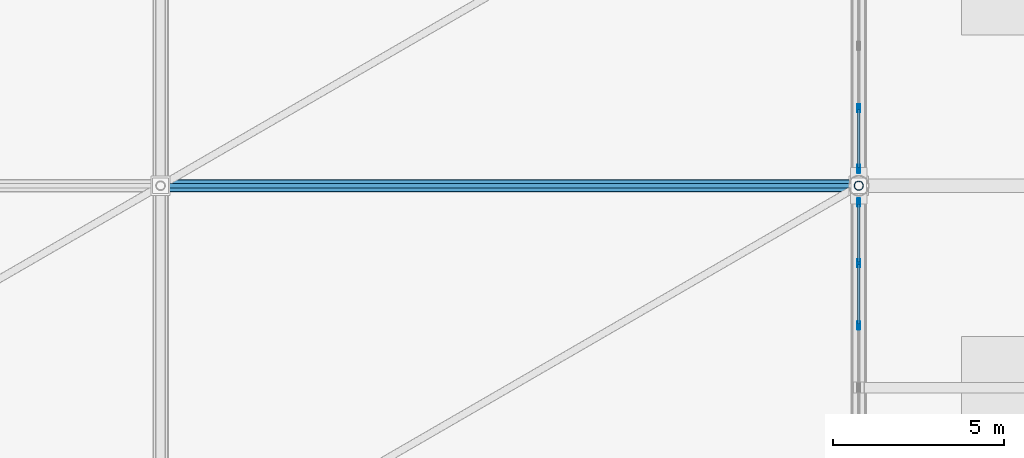
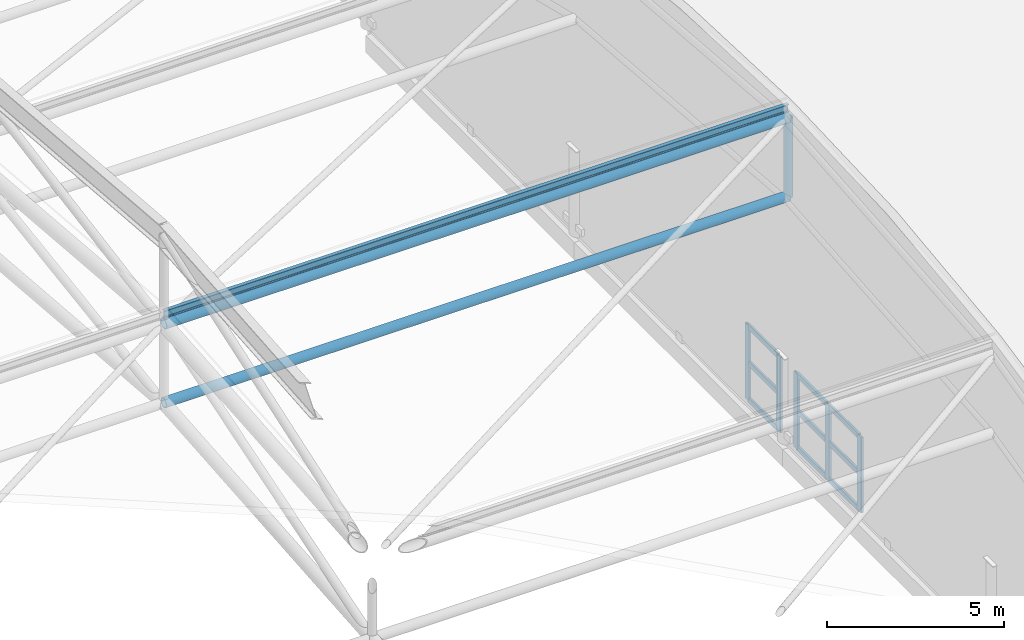
# One storey, part 53 of 135: 18 members, 2 elements without a shape of their own.
"""IFC4 building model written with IfcOpenShell, lengths in metres."""

from ifc_helpers import new_model, si_unit, direction, frame, origin, origin_2d, place, context, subcontext, project, spatial, hollow_rectangle, hollow_circle, i_section, extrude, material, material_profile, profile_set, type_object, element, aggregate, save


model = new_model("IFC4")

# Units and contexts
model_context = context("Model", 3, precision=1e-05, world=origin(), true_north=direction((0.0, 1.0)))
body_context = subcontext(model_context, "Body", "Model", "MODEL_VIEW")
ifc_project = project(units=[si_unit("LENGTHUNIT", "METRE"), si_unit("AREAUNIT", "SQUARE_METRE"), si_unit("VOLUMEUNIT", "CUBIC_METRE"), si_unit("PLANEANGLEUNIT", "RADIAN"), si_unit("MASSUNIT", "GRAM", prefix="KILO")], contexts=[model_context])

# Site, building, storey
site_placement = place(None, origin())
site = spatial("IfcSite", under=ifc_project, at=site_placement, CompositionType="ELEMENT")
building_placement = place(site_placement, origin())
building = spatial("IfcBuilding", under=site, at=building_placement, Name="Brelvane Convention Centre", CompositionType="ELEMENT")
storey_placement = place(building_placement, frame((0.0, 0.0, 15.0)))
storey = spatial("IfcBuildingStorey", under=building, at=storey_placement, Name="L03", CompositionType="ELEMENT", Elevation=15.0)

# Curtain wall, members
ifc_material_1 = material(Name="Anodised Aluminium Alloy 6063-T6", Category="aluminium")
curtain_wall_type = type_object("IfcCurtainWallType", Name="Curtain Wall CW-HULL-N", PredefinedType="USERDEFINED", material=ifc_material_1)
curtain_wall_1_placement = place(storey_placement, origin())
curtain_wall_1 = element("IfcCurtainWall", 1, at=curtain_wall_1_placement, inside=storey, type_object=curtain_wall_type, Name="Curtain Wall CW-HULL-N L03-EXH-E-CLER-3", ObjectType="UNITISED", PredefinedType="USERDEFINED")
ifc_material_2 = material(Name="Anodised Aluminium Alloy 6063-T6", Category="aluminium")
ifc_material_profile_1 = material_profile(ifc_material_2, hollow_rectangle(XDim=0.080078125, YDim=0.239990234375, WallThickness=0.006103515625, InnerFilletRadius=0.006103515625, OuterFilletRadius=0.011962890625, at=origin_2d()), Name="ALU-M 240x80x6.0")
ifc_profile_set_1 = profile_set([ifc_material_profile_1], Name="Anodised Aluminium Alloy 6063-T6")
member_type_1 = type_object("IfcMemberType", Name="Curtain Mullion CW-M1", PredefinedType="MULLION", material=ifc_profile_set_1)
member_1_placement = place(storey_placement, frame((142.800048828125, 60.11669921875, 0.0), z_axis=(0.0, 0.0, 1.0), x_axis=(-1.0, 0.0, 0.0)))
member_1 = element("IfcMember", 2, at=member_1_placement, type_object=member_type_1, Name="CW-HULL-N mullion 5", PredefinedType="MULLION", context=body_context, shape_type="SweptSolid", body=[
    extrude(hollow_rectangle(XDim=0.080078125, YDim=0.239990234375, WallThickness=0.006103515625, InnerFilletRadius=0.006103515625, OuterFilletRadius=0.011962890625, at=origin_2d()), origin(), (0.0, 0.0, 1.0), 2.60009765625),
])
member_2_placement = place(storey_placement, frame((142.800048828125, 61.933349609375, 0.0), z_axis=(0.0, 0.0, 1.0), x_axis=(-1.0, 0.0, 0.0)))
member_2 = element("IfcMember", 3, at=member_2_placement, type_object=member_type_1, Name="CW-HULL-N mullion 6", PredefinedType="MULLION", context=body_context, shape_type="SweptSolid", body=[
    extrude(hollow_rectangle(XDim=0.080078125, YDim=0.239990234375, WallThickness=0.006103515625, InnerFilletRadius=0.006103515625, OuterFilletRadius=0.011962890625, at=origin_2d()), origin(), (0.0, 0.0, 1.0), 2.60009765625),
])
member_3_placement = place(storey_placement, frame((142.800048828125, 63.7099609375, 0.0), z_axis=(0.0, 0.0, 1.0), x_axis=(-1.0, 0.0, 0.0)))
member_3 = element("IfcMember", 4, at=member_3_placement, type_object=member_type_1, Name="CW-HULL-N mullion 7", PredefinedType="MULLION", context=body_context, shape_type="SweptSolid", body=[
    extrude(hollow_rectangle(XDim=0.080078125, YDim=0.239990234375, WallThickness=0.006103515625, InnerFilletRadius=0.006103515625, OuterFilletRadius=0.011962890625, at=origin_2d()), origin(), (0.0, 0.0, 1.0), 2.60009765625),
])

curtain_wall_2_placement = place(storey_placement, origin())
curtain_wall_2 = element("IfcCurtainWall", 5, at=curtain_wall_2_placement, inside=storey, type_object=curtain_wall_type, Name="Curtain Wall CW-HULL-N L03-EXH-E-CLER-4", ObjectType="UNITISED", PredefinedType="USERDEFINED")
member_4_placement = place(storey_placement, frame((142.800048828125, 64.68994140625, 0.0), z_axis=(0.0, 0.0, 1.0), x_axis=(-1.0, 0.0, 0.0)))
member_4 = element("IfcMember", 6, at=member_4_placement, type_object=member_type_1, Name="CW-HULL-N mullion 1", PredefinedType="MULLION", context=body_context, shape_type="SweptSolid", body=[
    extrude(hollow_rectangle(XDim=0.080078125, YDim=0.239990234375, WallThickness=0.006103515625, InnerFilletRadius=0.006103515625, OuterFilletRadius=0.011962890625, at=origin_2d()), origin(), (0.0, 0.0, 1.0), 2.60009765625),
])
member_5_placement = place(storey_placement, frame((142.800048828125, 66.466552734375, 0.0), z_axis=(0.0, 0.0, 1.0), x_axis=(-1.0, 0.0, 0.0)))
member_5 = element("IfcMember", 7, at=member_5_placement, type_object=member_type_1, Name="CW-HULL-N mullion 2", PredefinedType="MULLION", context=body_context, shape_type="SweptSolid", body=[
    extrude(hollow_rectangle(XDim=0.080078125, YDim=0.239990234375, WallThickness=0.006103515625, InnerFilletRadius=0.006103515625, OuterFilletRadius=0.011962890625, at=origin_2d()), origin(), (0.0, 0.0, 1.0), 2.60009765625),
])

# Member
ifc_material_3 = material(Name="Anodised Aluminium Alloy 6063-T6", Category="aluminium")
ifc_material_profile_2 = material_profile(ifc_material_3, hollow_rectangle(XDim=0.080078125, YDim=0.179931640625, WallThickness=0.0048828125, InnerFilletRadius=0.0048828125, OuterFilletRadius=0.010009765625, at=origin_2d()), Name="ALU-T 180x80x5.0")
ifc_profile_set_2 = profile_set([ifc_material_profile_2], Name="Anodised Aluminium Alloy 6063-T6")
member_type_2 = type_object("IfcMemberType", Name="Curtain Transom CW-T1", PredefinedType="USERDEFINED", material=ifc_profile_set_2)
member_6_placement = place(storey_placement, frame((142.800048828125, 60.15673828125, 0.0400390625), z_axis=(0.0, 1.0, 0.0), x_axis=(-1.0, 0.0, 0.0)))
member_6 = element("IfcMember", 8, at=member_6_placement, type_object=member_type_2, Name="CW-HULL-N transom 5.1", ObjectType="TRANSOM", PredefinedType="USERDEFINED", context=body_context, shape_type="SweptSolid", body=[
    extrude(hollow_rectangle(XDim=0.080078125, YDim=0.179931640625, WallThickness=0.0048828125, InnerFilletRadius=0.0048828125, OuterFilletRadius=0.010009765625, at=origin_2d()), origin(), (0.0, 0.0, 1.0), 1.736572265625),
])

member_7_placement = place(storey_placement, frame((142.800048828125, 60.15673828125, 1.300048828125), z_axis=(0.0, 1.0, 0.0), x_axis=(-1.0, 0.0, 0.0)))
member_7 = element("IfcMember", 9, at=member_7_placement, type_object=member_type_2, Name="CW-HULL-N transom 5.2", ObjectType="TRANSOM", PredefinedType="USERDEFINED", context=body_context, shape_type="SweptSolid", body=[
    extrude(hollow_rectangle(XDim=0.080078125, YDim=0.179931640625, WallThickness=0.0048828125, InnerFilletRadius=0.0048828125, OuterFilletRadius=0.010009765625, at=origin_2d()), origin(), (0.0, 0.0, 1.0), 1.736572265625),
])

member_8_placement = place(storey_placement, frame((142.800048828125, 60.15673828125, 2.56005859375), z_axis=(0.0, 1.0, 0.0), x_axis=(-1.0, 0.0, 0.0)))
member_8 = element("IfcMember", 10, at=member_8_placement, type_object=member_type_2, Name="CW-HULL-N transom 5.3", ObjectType="TRANSOM", PredefinedType="USERDEFINED", context=body_context, shape_type="SweptSolid", body=[
    extrude(hollow_rectangle(XDim=0.080078125, YDim=0.179931640625, WallThickness=0.0048828125, InnerFilletRadius=0.0048828125, OuterFilletRadius=0.010009765625, at=origin_2d()), origin(), (0.0, 0.0, 1.0), 1.736572265625),
])

member_9_placement = place(storey_placement, frame((142.800048828125, 61.973388671875, 0.0400390625), z_axis=(0.0, 1.0, 0.0), x_axis=(-1.0, 0.0, 0.0)))
member_9 = element("IfcMember", 11, at=member_9_placement, type_object=member_type_2, Name="CW-HULL-N transom 6.1", ObjectType="TRANSOM", PredefinedType="USERDEFINED", context=body_context, shape_type="SweptSolid", body=[
    extrude(hollow_rectangle(XDim=0.080078125, YDim=0.179931640625, WallThickness=0.0048828125, InnerFilletRadius=0.0048828125, OuterFilletRadius=0.010009765625, at=origin_2d()), origin(), (0.0, 0.0, 1.0), 1.696533203125),
])

member_10_placement = place(storey_placement, frame((142.800048828125, 61.973388671875, 1.300048828125), z_axis=(0.0, 1.0, 0.0), x_axis=(-1.0, 0.0, 0.0)))
member_10 = element("IfcMember", 12, at=member_10_placement, type_object=member_type_2, Name="CW-HULL-N transom 6.2", ObjectType="TRANSOM", PredefinedType="USERDEFINED", context=body_context, shape_type="SweptSolid", body=[
    extrude(hollow_rectangle(XDim=0.080078125, YDim=0.179931640625, WallThickness=0.0048828125, InnerFilletRadius=0.0048828125, OuterFilletRadius=0.010009765625, at=origin_2d()), origin(), (0.0, 0.0, 1.0), 1.696533203125),
])

member_11_placement = place(storey_placement, frame((142.800048828125, 61.973388671875, 2.56005859375), z_axis=(0.0, 1.0, 0.0), x_axis=(-1.0, 0.0, 0.0)))
member_11 = element("IfcMember", 13, at=member_11_placement, type_object=member_type_2, Name="CW-HULL-N transom 6.3", ObjectType="TRANSOM", PredefinedType="USERDEFINED", context=body_context, shape_type="SweptSolid", body=[
    extrude(hollow_rectangle(XDim=0.080078125, YDim=0.179931640625, WallThickness=0.0048828125, InnerFilletRadius=0.0048828125, OuterFilletRadius=0.010009765625, at=origin_2d()), origin(), (0.0, 0.0, 1.0), 1.696533203125),
])

aggregate(curtain_wall_1, [member_1, member_2, member_3, member_6, member_7, member_8, member_9, member_10, member_11])

member_12_placement = place(storey_placement, frame((142.800048828125, 64.72998046875, 0.0400390625), z_axis=(0.0, 1.0, 0.0), x_axis=(-1.0, 0.0, 0.0)))
member_12 = element("IfcMember", 14, at=member_12_placement, type_object=member_type_2, Name="CW-HULL-N transom 1.1", ObjectType="TRANSOM", PredefinedType="USERDEFINED", context=body_context, shape_type="SweptSolid", body=[
    extrude(hollow_rectangle(XDim=0.080078125, YDim=0.179931640625, WallThickness=0.0048828125, InnerFilletRadius=0.0048828125, OuterFilletRadius=0.010009765625, at=origin_2d()), origin(), (0.0, 0.0, 1.0), 1.69677734375),
])

member_13_placement = place(storey_placement, frame((142.800048828125, 64.72998046875, 1.300048828125), z_axis=(0.0, 1.0, 0.0), x_axis=(-1.0, 0.0, 0.0)))
member_13 = element("IfcMember", 15, at=member_13_placement, type_object=member_type_2, Name="CW-HULL-N transom 1.2", ObjectType="TRANSOM", PredefinedType="USERDEFINED", context=body_context, shape_type="SweptSolid", body=[
    extrude(hollow_rectangle(XDim=0.080078125, YDim=0.179931640625, WallThickness=0.0048828125, InnerFilletRadius=0.0048828125, OuterFilletRadius=0.010009765625, at=origin_2d()), origin(), (0.0, 0.0, 1.0), 1.69677734375),
])

member_14_placement = place(storey_placement, frame((142.800048828125, 64.72998046875, 2.56005859375), z_axis=(0.0, 1.0, 0.0), x_axis=(-1.0, 0.0, 0.0)))
member_14 = element("IfcMember", 16, at=member_14_placement, type_object=member_type_2, Name="CW-HULL-N transom 1.3", ObjectType="TRANSOM", PredefinedType="USERDEFINED", context=body_context, shape_type="SweptSolid", body=[
    extrude(hollow_rectangle(XDim=0.080078125, YDim=0.179931640625, WallThickness=0.0048828125, InnerFilletRadius=0.0048828125, OuterFilletRadius=0.010009765625, at=origin_2d()), origin(), (0.0, 0.0, 1.0), 1.69677734375),
])

aggregate(curtain_wall_2, [member_4, member_5, member_12, member_13, member_14])

# Members
ifc_material_4 = material(Name="Steel E350 (350 MPa)", Category="steel")
ifc_material_profile_3 = material_profile(ifc_material_4, hollow_circle(Radius=0.161865234375, WallThickness=0.012451171875, at=origin_2d()), Name="CHS 323.9x12.5")
ifc_profile_set_3 = profile_set([ifc_material_profile_3], Name="Steel E350 (350 MPa)")
member_type_3 = type_object("IfcMemberType", Name="Steel Chord SF-BC2 (CHS 323.9x12.5)", PredefinedType="CHORD", material=ifc_profile_set_3)
member_15_placement = place(storey_placement, frame((122.39990234375, 64.199951171875, 8.39990234375), z_axis=(1.0, 0.0, 0.0), x_axis=(0.0, 1.0, 0.0)))
element("IfcMember", 17, at=member_15_placement, inside=storey, type_object=member_type_3, Name="SF_EXH Longitudinal Bottom Chord LB7.4", PredefinedType="CHORD", context=body_context, shape_type="SweptSolid", body=[
    extrude(hollow_circle(Radius=0.161865234375, WallThickness=0.012451171875, at=origin_2d()), origin(), (0.0, 0.0, 1.0), 20.400146484375),
])
ifc_material_5 = material(Name="Steel E450 (450 MPa)", Category="steel")
ifc_material_profile_4 = material_profile(ifc_material_5, hollow_circle(Radius=0.177734375, WallThickness=0.01611328125, at=origin_2d()), Name="CHS 355.6x16.0")
ifc_profile_set_4 = profile_set([ifc_material_profile_4], Name="Steel E450 (450 MPa)")
member_type_4 = type_object("IfcMemberType", Name="Steel Chord SF-TC2 (CHS 355.6x16.0)", PredefinedType="CHORD", material=ifc_profile_set_4)
member_16_placement = place(storey_placement, frame((122.39990234375, 64.199951171875, 11.139892578125), z_axis=(1.0, 0.0, 0.0), x_axis=(0.0, 1.0, 0.0)))
element("IfcMember", 18, at=member_16_placement, inside=storey, type_object=member_type_4, Name="SF_EXH Longitudinal Top Chord LT7.4", PredefinedType="CHORD", context=body_context, shape_type="SweptSolid", body=[
    extrude(hollow_circle(Radius=0.177734375, WallThickness=0.01611328125, at=origin_2d()), origin(), (0.0, 0.0, 1.0), 20.400146484375),
])
ifc_material_6 = material(Name="Steel E350 (350 MPa)", Category="steel")
ifc_material_profile_5 = material_profile(ifc_material_6, i_section(OverallWidth=0.125, OverallDepth=0.25, WebThickness=0.0068359375, FlangeThickness=0.012451171875, FilletRadius=0.012939453125, at=origin_2d()), Name="ISMB 250")
ifc_profile_set_5 = profile_set([ifc_material_profile_5], Name="Steel E350 (350 MPa)")
member_type_5 = type_object("IfcMemberType", Name="Steel Purlin PR-ST1 (ISMB 250)", PredefinedType="PURLIN", material=ifc_profile_set_5)
member_17_placement = place(storey_placement, frame((122.39990234375, 64.199951171875, 11.47509765625), z_axis=(1.0, 0.0, 0.0), x_axis=(0.0, 1.0, 0.0)))
element("IfcMember", 19, at=member_17_placement, inside=storey, type_object=member_type_5, Name="SF_EXH Roof Purlin P7.4", PredefinedType="PURLIN", context=body_context, shape_type="SweptSolid", body=[
    extrude(i_section(OverallWidth=0.125, OverallDepth=0.25, WebThickness=0.0068359375, FlangeThickness=0.012451171875, FilletRadius=0.012939453125, at=origin_2d()), origin(), (0.0, 0.0, 1.0), 20.400146484375),
])
ifc_material_7 = material(Name="Steel E350 (350 MPa)", Category="steel")
ifc_material_profile_6 = material_profile(ifc_material_7, hollow_circle(Radius=0.136474609375, WallThickness=0.012451171875, at=origin_2d()), Name="CHS 273.0x12.5")
ifc_profile_set_6 = profile_set([ifc_material_profile_6], Name="Steel E350 (350 MPa)")
member_type_6 = type_object("IfcMemberType", Name="Steel Strut SF-VT1 (CHS 273.0x12.5)", PredefinedType="STRUT", material=ifc_profile_set_6)
member_18_placement = place(storey_placement, frame((142.800048828125, 64.199951171875, 8.39990234375), z_axis=(0.0, 0.0, 1.0), x_axis=(1.0, 0.0, 0.0)))
element("IfcMember", 20, at=member_18_placement, inside=storey, type_object=member_type_6, Name="SF_EXH Space-Frame Post V8.3", PredefinedType="STRUT", context=body_context, shape_type="SweptSolid", body=[
    extrude(hollow_circle(Radius=0.136474609375, WallThickness=0.012451171875, at=origin_2d()), origin(), (0.0, 0.0, 1.0), 2.739990234375),
])

save(model, "model.ifc")
